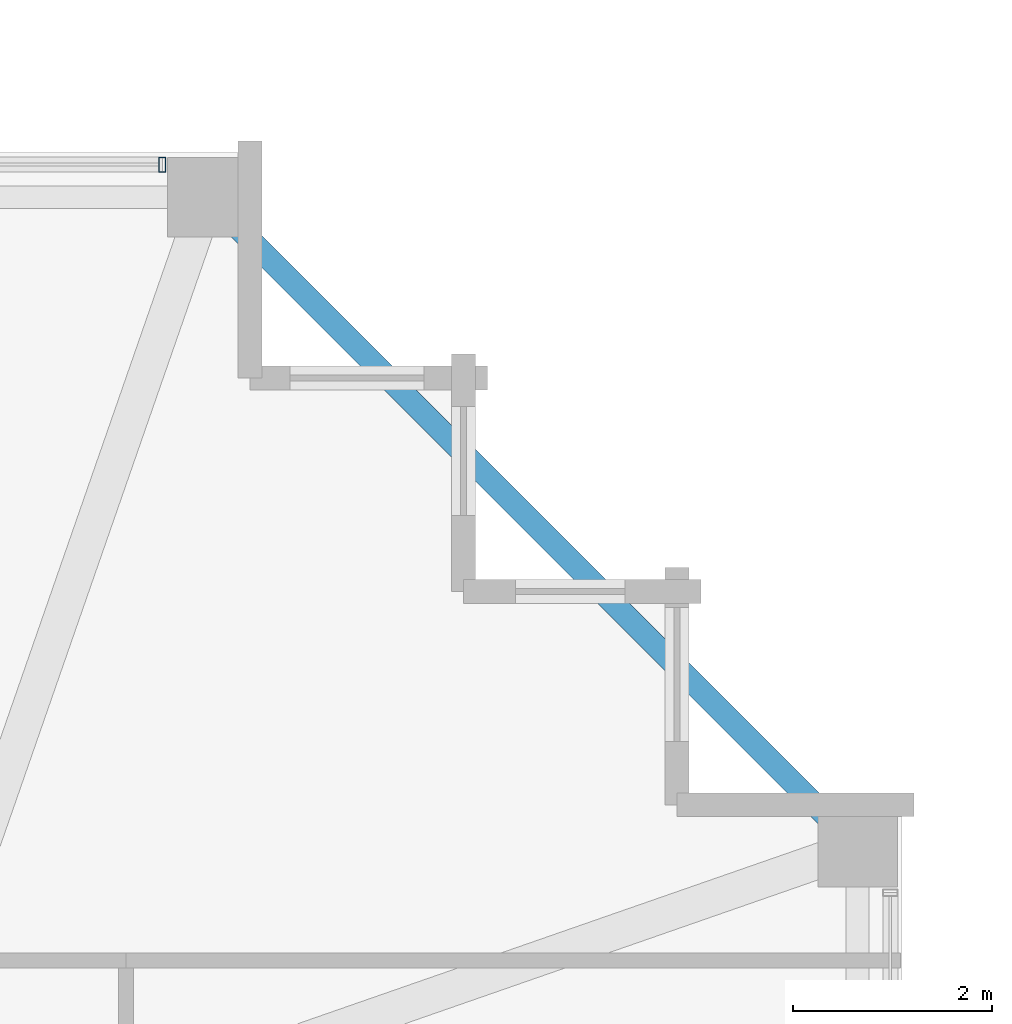
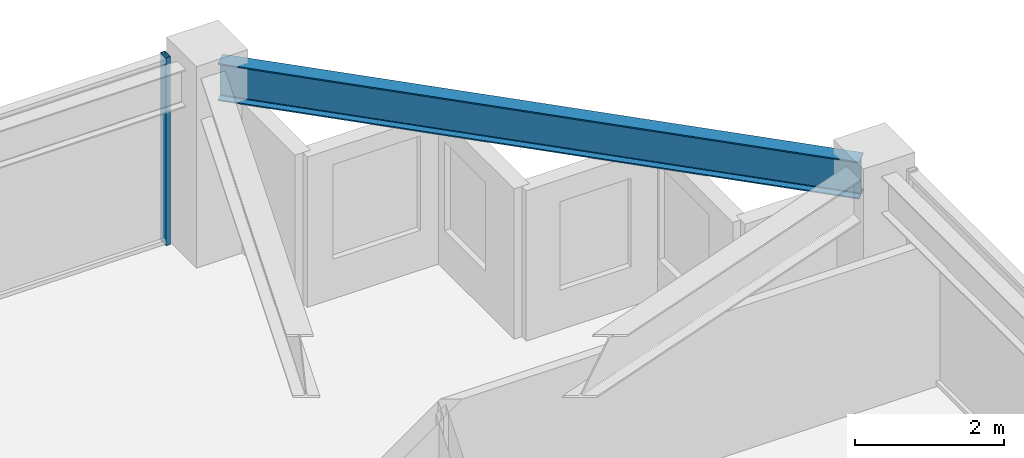
# One storey, part 24 of 38: 1 beam, 1 member, 1 element without a shape of its own.
"""IFC4 building model written with IfcOpenShell, lengths in metres."""

from ifc_helpers import new_model, si_unit, direction, frame, origin, origin_2d, place, context, subcontext, project, spatial, hollow_rectangle, i_section, extrude, material, material_profile, profile_set, type_object, element, aggregate, save


model = new_model("IFC4")

# Units and contexts
model_context = context("Model", 3, precision=1e-05, world=origin(), true_north=direction((0.0, 1.0)))
body_context = subcontext(model_context, "Body", "Model", "MODEL_VIEW")
ifc_project = project(units=[si_unit("LENGTHUNIT", "METRE"), si_unit("AREAUNIT", "SQUARE_METRE"), si_unit("VOLUMEUNIT", "CUBIC_METRE"), si_unit("PLANEANGLEUNIT", "RADIAN"), si_unit("MASSUNIT", "GRAM", prefix="KILO")], contexts=[model_context])

# Site, building, storey
site_placement = place(None, origin())
site = spatial("IfcSite", under=ifc_project, at=site_placement, CompositionType="ELEMENT")
building_placement = place(site_placement, origin())
building = spatial("IfcBuilding", under=site, at=building_placement, Name="Kolvaren Belvedere", CompositionType="ELEMENT")
storey_placement = place(building_placement, frame((0.0, 0.0, 213.0)))
storey = spatial("IfcBuildingStorey", under=building, at=storey_placement, Name="L62", CompositionType="ELEMENT", Elevation=213.0)

# Beam
ifc_material_1 = material(Name="Structural steel ASTM A992 Grade 50", Category="steel")
ifc_material_profile_1 = material_profile(ifc_material_1, i_section(OverallWidth=0.22900390625, OverallDepth=0.612060546875, WebThickness=0.011962890625, FlangeThickness=0.01953125, FilletRadius=0.01806640625, at=origin_2d()), Name="W24X84")
ifc_profile_set_1 = profile_set([ifc_material_profile_1], Name="Structural steel ASTM A992 Grade 50")
beam_type = type_object("IfcBeamType", Name="BM-SPAN-W24X84", PredefinedType="SPANDREL", material=ifc_profile_set_1)
beam_placement = place(storey_placement, frame((19.82275390625, 13.52734375, 2.77392578125), z_axis=(-0.707106781187, 0.707106781187, 0.0), x_axis=(-0.707106781187, -0.707106781187, 0.0)))
element("IfcBeam", 1, at=beam_placement, inside=storey, type_object=beam_type, Name="L62 Perimeter Spandrel E4-N4", PredefinedType="SPANDREL", context=body_context, shape_type="SweptSolid", body=[
    extrude(i_section(OverallWidth=0.22900390625, OverallDepth=0.612060546875, WebThickness=0.011962890625, FlangeThickness=0.01953125, FilletRadius=0.01806640625, at=origin_2d()), origin(), (0.0, 0.0, 1.0), 8.903076171875),
])

# Curtain wall, member
ifc_material_2 = material(Name="Anodised pale-metal aluminium AA 6063-T6", Category="aluminium")
curtain_wall_type = type_object("IfcCurtainWallType", Name="CW-Z5-HIGH", PredefinedType="NOTDEFINED", material=ifc_material_2)
curtain_wall_placement = place(storey_placement, origin())
curtain_wall = element("IfcCurtainWall", 2, at=curtain_wall_placement, inside=storey, type_object=curtain_wall_type, Name="L62 Unitised Curtain Wall FCW-L62-N2-B2", PredefinedType="NOTDEFINED")
ifc_material_3 = material(Name="Anodised pale-metal aluminium AA 6063-T6", Category="aluminium")
ifc_material_profile_2 = material_profile(ifc_material_3, hollow_rectangle(XDim=0.070068359375, YDim=0.14990234375, WallThickness=0.004150390625, at=origin_2d()), Name="ALU-MUL-150X70")
ifc_profile_set_2 = profile_set([ifc_material_profile_2], Name="Anodised pale-metal aluminium AA 6063-T6")
member_type = type_object("IfcMemberType", Name="CW-MUL-150", PredefinedType="MULLION", material=ifc_profile_set_2)
member_placement = place(storey_placement, frame((12.945068359375, 20.280029296875, 0.0), z_axis=(0.0, 0.0, 1.0), x_axis=(1.0, 0.0, 0.0)))
member = element("IfcMember", 3, at=member_placement, type_object=member_type, Name="FCW-L62-N2-B2 Unitised Mullion 3", PredefinedType="MULLION", context=body_context, shape_type="SweptSolid", body=[
    extrude(hollow_rectangle(XDim=0.070068359375, YDim=0.14990234375, WallThickness=0.004150390625, at=origin_2d()), origin(), (0.0, 0.0, 1.0), 3.080078125),
])
aggregate(curtain_wall, [member])

save(model, "model.ifc")
